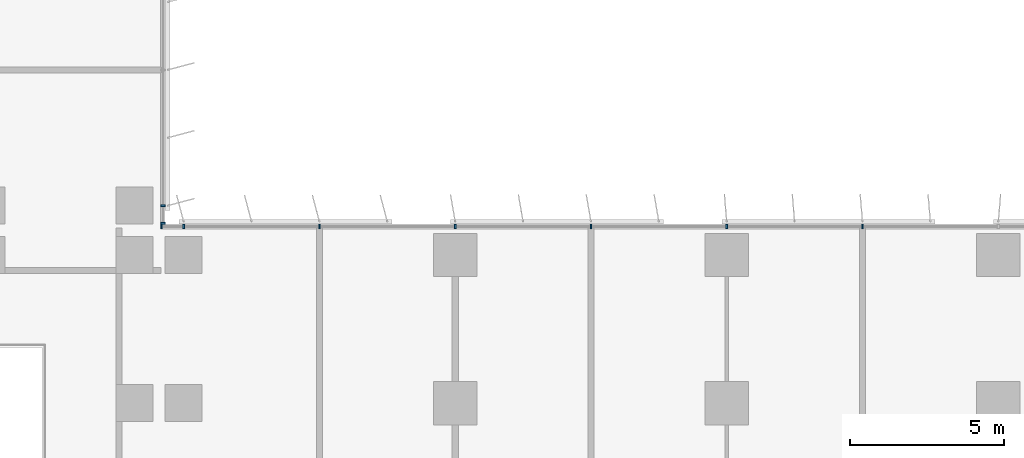
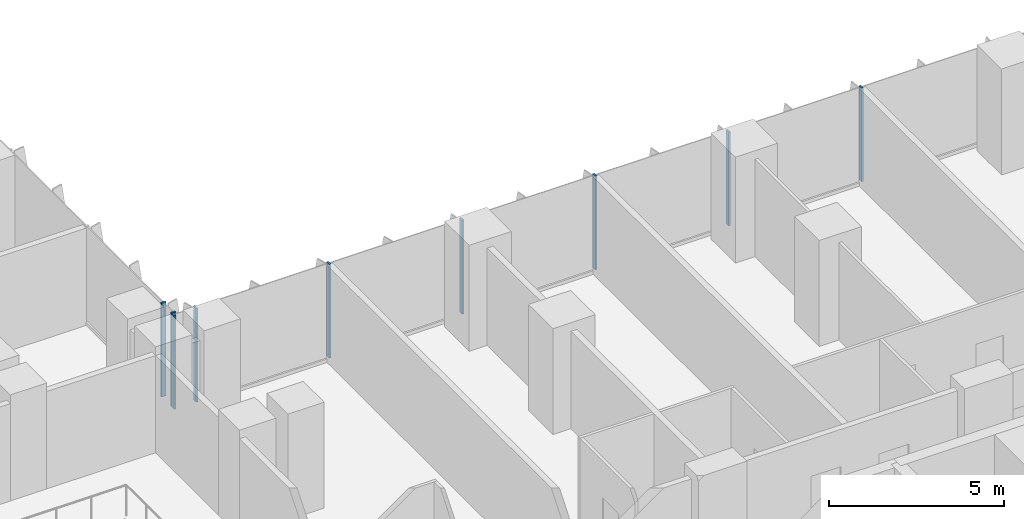
# One storey, part 2 of 24: 9 members, 2 elements without a shape of their own.
"""IFC4 building model written with IfcOpenShell, lengths in metres."""

from ifc_helpers import new_model, si_unit, direction, frame, origin, origin_2d, place, context, subcontext, project, spatial, rectangle, extrude, source, transform, mapped, material, material_profile, profile_set, type_object, element, aggregate, save


model = new_model("IFC4")

# Units and contexts
model_context = context("Model", 3, precision=1e-05, world=origin(), true_north=direction((0.0, 1.0)))
body_context = subcontext(model_context, "Body", "Model", "MODEL_VIEW")
ifc_project = project(units=[si_unit("LENGTHUNIT", "METRE"), si_unit("AREAUNIT", "SQUARE_METRE"), si_unit("VOLUMEUNIT", "CUBIC_METRE"), si_unit("PLANEANGLEUNIT", "RADIAN"), si_unit("MASSUNIT", "GRAM", prefix="KILO")], contexts=[model_context])

# Site, building, storey
site_placement = place(None, origin())
site = spatial("IfcSite", under=ifc_project, at=site_placement, CompositionType="ELEMENT")
building_placement = place(site_placement, origin())
building = spatial("IfcBuilding", under=site, at=building_placement, Name="Kemantara Hotel Tower", CompositionType="ELEMENT")
storey_placement = place(building_placement, frame((0.0, 0.0, 56.199951171875)))
storey = spatial("IfcBuildingStorey", under=building, at=storey_placement, Name="L12", CompositionType="ELEMENT", Elevation=56.199951171875)

# Curtain wall, members
ifc_material_1 = material(Name="Low-E tinted double insulated glass 36 mm", Category="glass")
curtain_wall_type = type_object("IfcCurtainWallType", Name="TOWER CURTAIN WALL, FRONT FACES", PredefinedType="USERDEFINED", material=ifc_material_1)
curtain_wall_1_placement = place(storey_placement, origin())
curtain_wall_1 = element("IfcCurtainWall", 1, at=curtain_wall_1_placement, inside=storey, type_object=curtain_wall_type, Name="CW4 L12 T1-R07-1", ObjectType="TOWER CURTAIN WALL, FRONT FACES", PredefinedType="USERDEFINED")
ifc_material_2 = material(Name="Aluminium 6063-T6 bronze anodised", Category="aluminium")
ifc_material_profile = material_profile(ifc_material_2, rectangle(XDim=0.14990234375, YDim=0.06005859375, at=origin_2d()), Name="TOWER CURTAIN WALL, FRONT FACES MULLION")
ifc_profile_set = profile_set([ifc_material_profile], Name="Aluminium 6063-T6 bronze anodised")
member_type = type_object("IfcMemberType", Name="TOWER CURTAIN WALL, FRONT FACES MULLION", PredefinedType="MULLION", material=ifc_profile_set)
shared_shape = source(origin(), body_context, "Body", "SweptSolid", [
    extrude(rectangle(XDim=0.14990234375, YDim=0.06005859375, at=origin_2d()), origin(), (0.0, 0.0, 1.0), 3.280029296875),
])
member_1_placement = place(storey_placement, frame((49.39990234375, 26.72509765625, 0.1201171875), z_axis=(0.0, 0.0, 1.0), x_axis=(0.0, -1.0, 0.0)))
member_1 = element("IfcMember", 2, at=member_1_placement, type_object=member_type, Name="CW4 mullion T1-R07-1.8", PredefinedType="MULLION", context=body_context, shape_type="MappedRepresentation", body=[
    mapped(shared_shape, transform((0.0, 0.0, 0.0))),
])
member_2_placement = place(storey_placement, frame((45.0, 26.72509765625, 0.1201171875), z_axis=(0.0, 0.0, 1.0), x_axis=(0.0, -1.0, 0.0)))
member_2 = element("IfcMember", 3, at=member_2_placement, type_object=member_type, Name="CW4 mullion T1-R07-1.9", PredefinedType="MULLION", context=body_context, shape_type="MappedRepresentation", body=[
    mapped(shared_shape, transform((0.0, 0.0, 0.0))),
])
member_3_placement = place(storey_placement, frame((40.60009765625, 26.72509765625, 0.1201171875), z_axis=(0.0, 0.0, 1.0), x_axis=(0.0, -1.0, 0.0)))
member_3 = element("IfcMember", 4, at=member_3_placement, type_object=member_type, Name="CW4 mullion T1-R07-1.10", PredefinedType="MULLION", context=body_context, shape_type="MappedRepresentation", body=[
    mapped(shared_shape, transform((0.0, 0.0, 0.0))),
])
member_4_placement = place(storey_placement, frame((36.199951171875, 26.72509765625, 0.1201171875), z_axis=(0.0, 0.0, 1.0), x_axis=(0.0, -1.0, 0.0)))
member_4 = element("IfcMember", 5, at=member_4_placement, type_object=member_type, Name="CW4 mullion T1-R07-1.11", PredefinedType="MULLION", context=body_context, shape_type="MappedRepresentation", body=[
    mapped(shared_shape, transform((0.0, 0.0, 0.0))),
])
member_5_placement = place(storey_placement, frame((31.800048828125, 26.72509765625, 0.1201171875), z_axis=(0.0, 0.0, 1.0), x_axis=(0.0, -1.0, 0.0)))
member_5 = element("IfcMember", 6, at=member_5_placement, type_object=member_type, Name="CW4 mullion T1-R07-1.12", PredefinedType="MULLION", context=body_context, shape_type="MappedRepresentation", body=[
    mapped(shared_shape, transform((0.0, 0.0, 0.0))),
])
member_6_placement = place(storey_placement, frame((27.39990234375, 26.72509765625, 0.1201171875), z_axis=(0.0, 0.0, 1.0), x_axis=(0.0, -1.0, 0.0)))
member_6 = element("IfcMember", 7, at=member_6_placement, type_object=member_type, Name="CW4 mullion T1-R07-1.13", PredefinedType="MULLION", context=body_context, shape_type="MappedRepresentation", body=[
    mapped(shared_shape, transform((0.0, 0.0, 0.0))),
])
member_7_placement = place(storey_placement, frame((26.679931640625, 26.72509765625, 0.1201171875), z_axis=(0.0, 0.0, 1.0), x_axis=(0.0, -1.0, 0.0)))
member_7 = element("IfcMember", 8, at=member_7_placement, type_object=member_type, Name="CW4 mullion T1-R07-1.14", PredefinedType="MULLION", context=body_context, shape_type="MappedRepresentation", body=[
    mapped(shared_shape, transform((0.0, 0.0, 0.0))),
])
aggregate(curtain_wall_1, [member_1, member_2, member_3, member_4, member_5, member_6, member_7])

curtain_wall_2_placement = place(storey_placement, origin())
curtain_wall_2 = element("IfcCurtainWall", 9, at=curtain_wall_2_placement, inside=storey, type_object=curtain_wall_type, Name="CW4 L12 T1-R08-1", ObjectType="TOWER CURTAIN WALL, FRONT FACES", PredefinedType="USERDEFINED")
member_8_placement = place(storey_placement, frame((26.72509765625, 26.830078125, 0.1201171875), z_axis=(0.0, 0.0, 1.0), x_axis=(-1.0, 0.0, 0.0)))
member_8 = element("IfcMember", 10, at=member_8_placement, type_object=member_type, Name="CW4 mullion T1-R08-1.1", PredefinedType="MULLION", context=body_context, shape_type="MappedRepresentation", body=[
    mapped(shared_shape, transform((0.0, 0.0, 0.0))),
])
member_9_placement = place(storey_placement, frame((26.72509765625, 27.39990234375, 0.1201171875), z_axis=(0.0, 0.0, 1.0), x_axis=(-1.0, 0.0, 0.0)))
member_9 = element("IfcMember", 11, at=member_9_placement, type_object=member_type, Name="CW4 mullion T1-R08-1.2", PredefinedType="MULLION", context=body_context, shape_type="MappedRepresentation", body=[
    mapped(shared_shape, transform((0.0, 0.0, 0.0))),
])
aggregate(curtain_wall_2, [member_8, member_9])

save(model, "model.ifc")
